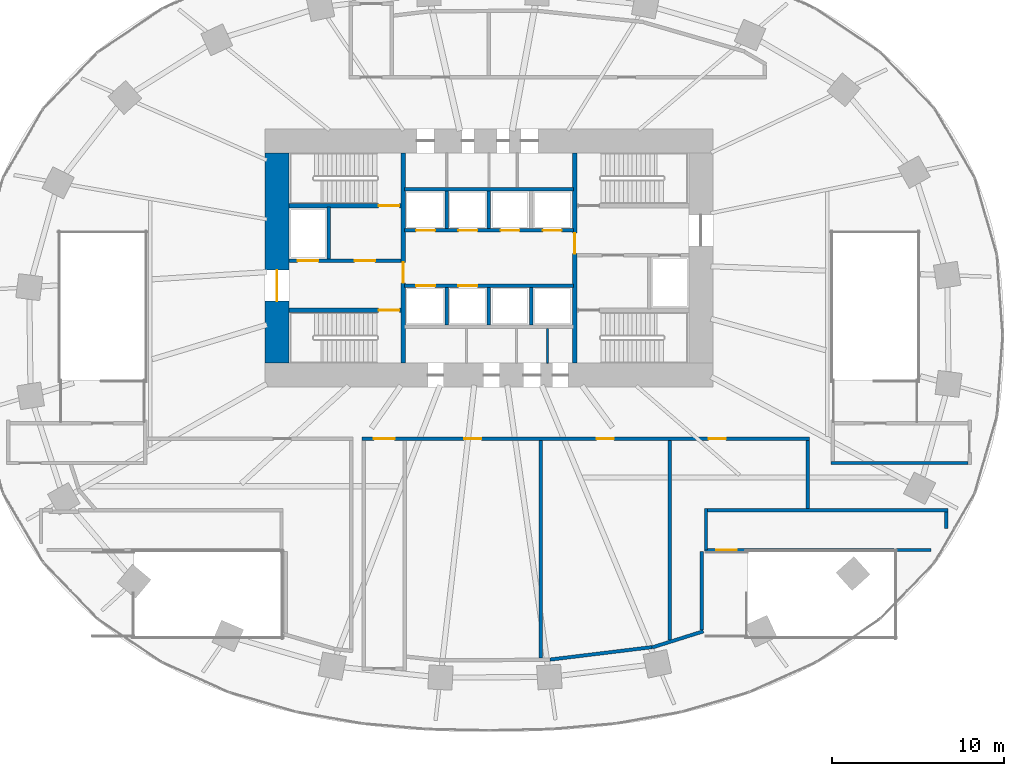
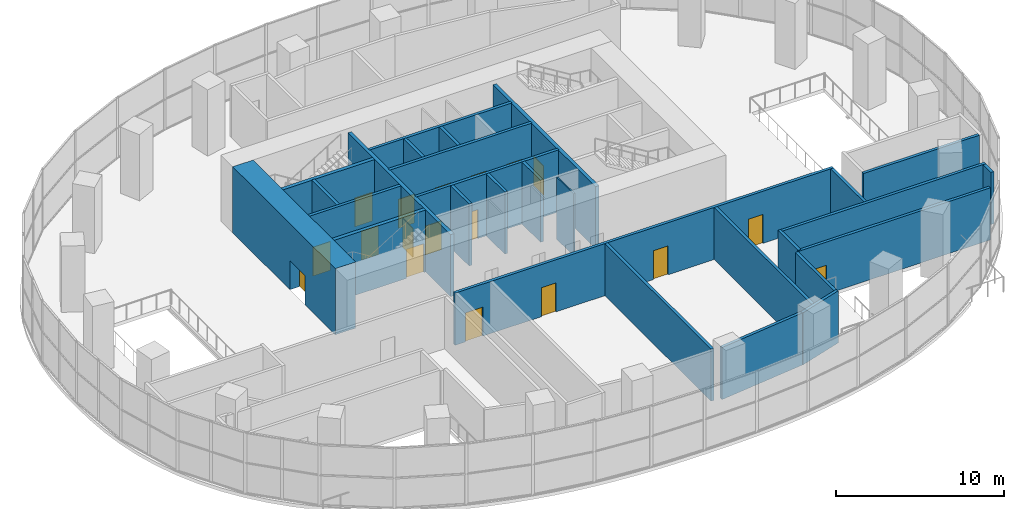
# One storey, part 12 of 17: 28 walls, 18 doors, 18 openings.
"""IFC4 building model written with IfcOpenShell, lengths in metres."""

from ifc_helpers import new_model, si_unit, direction, frame, frame_2d, origin, place, context, subcontext, project, spatial, rectangle, extrude, material, layer, layer_set, type_object, element, fill, save


model = new_model("IFC4")

# Units and contexts
model_context = context("Model", 3, precision=1e-05, world=origin(), true_north=direction((0.0, 1.0)))
body_context = subcontext(model_context, "Body", "Model", "MODEL_VIEW")
ifc_project = project(units=[si_unit("LENGTHUNIT", "METRE"), si_unit("AREAUNIT", "SQUARE_METRE"), si_unit("VOLUMEUNIT", "CUBIC_METRE"), si_unit("PLANEANGLEUNIT", "RADIAN"), si_unit("MASSUNIT", "GRAM", prefix="KILO")], contexts=[model_context])

# Site, building, storey
site_placement = place(None, origin())
site = spatial("IfcSite", under=ifc_project, at=site_placement, CompositionType="ELEMENT")
building_placement = place(site_placement, origin())
building = spatial("IfcBuilding", under=site, at=building_placement, Name="Rubra Terraces Tower", CompositionType="ELEMENT")
storey_placement = place(building_placement, frame((0.0, 0.0, 28.199951171875)))
storey = spatial("IfcBuildingStorey", under=building, at=storey_placement, Name="L04", CompositionType="ELEMENT", Elevation=28.199951171875)

# Wall, opening, door
ifc_material_1 = material(Name="Concrete C70", Category="concrete")
ifc_layer_1 = layer(ifc_material_1, 1.39990234375)
ifc_layer_set_1 = layer_set([ifc_layer_1], Name="Concrete C70")
wall_type_1 = type_object("IfcWallType", Name="CORE WALL 1400 C70", PredefinedType="SHEAR", material=ifc_layer_set_1)
wall_1_placement = place(storey_placement, frame((-12.300048828125, -1.60009765625, 0.0), z_axis=(0.0, 0.0, 1.0), x_axis=(0.0, 1.0, 0.0)))
wall_1 = element("IfcWall", 1, at=wall_1_placement, inside=storey, type_object=wall_type_1, Name="CORE WALL W L04", PredefinedType="SHEAR", context=body_context, shape_type="SweptSolid", body=[
    extrude(rectangle(XDim=12.2001953125, YDim=1.39990234375, at=frame_2d((6.10009765625, 0.0))), origin(), (0.0, 0.0, 1.0), 4.800048828125),
])
opening_1_placement = place(wall_1_placement, frame((3.60009765625, 0.0, 0.0)))
opening_1 = element("IfcOpeningElement", 2, at=opening_1_placement, cuts=wall_1, Name="Opening L04.C01", PredefinedType="OPENING", context=body_context, shape_type="SweptSolid", body=[
    extrude(rectangle(XDim=1.800048828125, YDim=2.10009765625, at=frame_2d((0.89990234375, 1.050048828125))), frame((0.0, 0.7099609375, 0.0), z_axis=(0.0, -1.0, 0.0), x_axis=(1.0, 0.0, 0.0)), (0.0, 0.0, 1.0), 1.419921875),
])
ifc_material_2 = material(Name="Painted steel", Category="steel")
door_type_1 = type_object("IfcDoorType", Name="Fire door 1800x2100 double", OperationType="NOTDEFINED", PredefinedType="DOOR", material=ifc_material_2)
door_1_placement = place(opening_1_placement, origin())
door_1 = element("IfcDoor", 3, at=door_1_placement, inside=storey, type_object=door_type_1, Name="Core entrance door FF1", OperationType="DOUBLE_DOOR_SINGLE_SWING", OverallHeight=2.10009765625, OverallWidth=1.800048828125, PredefinedType="DOOR", context=body_context, shape_type="SweptSolid", body=[
    extrude(rectangle(XDim=1.800048828125, YDim=2.10009765625, at=frame_2d((0.89990234375, 1.050048828125))), frame((0.0, 0.02490234375, 0.0), z_axis=(0.0, -1.0, 0.0), x_axis=(1.0, 0.0, 0.0)), (0.0, 0.0, 1.0), 0.050048828125),
])
fill(opening_1, door_1)

# Wall, openings, doors
ifc_material_3 = material(Name="Concrete C30", Category="concrete")
ifc_layer_2 = layer(ifc_material_3, 0.199951171875)
ifc_layer_set_2 = layer_set([ifc_layer_2], Name="Concrete C30")
wall_type_2 = type_object("IfcWallType", Name="Core wall 200 concrete", PredefinedType="SOLIDWALL", material=ifc_layer_set_2)
wall_2_placement = place(storey_placement, frame((-11.60009765625, 4.35009765625, 0.0), z_axis=(0.0, 0.0, 1.0), x_axis=(1.0, 0.0, 0.0)))
wall_2 = element("IfcWall", 4, at=wall_2_placement, inside=storey, type_object=wall_type_2, Name="STAIR WALL L04", PredefinedType="SOLIDWALL", context=body_context, shape_type="SweptSolid", body=[
    extrude(rectangle(XDim=6.5, YDim=0.199951171875, at=frame_2d((3.25, 0.0))), origin(), (0.0, 0.0, 1.0), 4.5),
])
opening_2_placement = place(wall_2_placement, frame((3.800048828125, 0.0, 0.0)))
opening_2 = element("IfcOpeningElement", 5, at=opening_2_placement, cuts=wall_2, Name="Opening L04.C05", PredefinedType="OPENING", context=body_context, shape_type="SweptSolid", body=[
    extrude(rectangle(XDim=1.199951171875, YDim=2.10009765625, at=frame_2d((0.60009765625, 1.050048828125))), frame((0.0, 0.10986328125, 0.0), z_axis=(0.0, -1.0, 0.0), x_axis=(1.0, 0.0, 0.0)), (0.0, 0.0, 1.0), 0.219970703125),
])
opening_3_placement = place(wall_2_placement, frame((0.5, 0.0, 0.0)))
opening_3 = element("IfcOpeningElement", 6, at=opening_3_placement, cuts=wall_2, Name="Opening L04.C11", PredefinedType="OPENING", context=body_context, shape_type="SweptSolid", body=[
    extrude(rectangle(XDim=1.199951171875, YDim=2.10009765625, at=frame_2d((0.60009765625, 1.050048828125))), frame((0.0, 0.10986328125, 0.0), z_axis=(0.0, -1.0, 0.0), x_axis=(1.0, 0.0, 0.0)), (0.0, 0.0, 1.0), 0.219970703125),
])
door_type_2 = type_object("IfcDoorType", Name="Fire door 1200x2100 single", OperationType="NOTDEFINED", PredefinedType="DOOR", material=ifc_material_2)
door_2_placement = place(opening_2_placement, origin())
door_2 = element("IfcDoor", 7, at=door_2_placement, inside=storey, type_object=door_type_2, Name="Stair vestibule door S2", OperationType="SINGLE_SWING_LEFT", OverallHeight=2.10009765625, OverallWidth=1.199951171875, PredefinedType="DOOR", context=body_context, shape_type="SweptSolid", body=[
    extrude(rectangle(XDim=1.199951171875, YDim=2.10009765625, at=frame_2d((0.60009765625, 1.050048828125))), frame((0.0, 0.02490234375, 0.0), z_axis=(0.0, -1.0, 0.0), x_axis=(1.0, 0.0, 0.0)), (0.0, 0.0, 1.0), 0.050048828125),
])
fill(opening_2, door_2)
ifc_material_4 = material(Name="Stainless steel", Category="steel")
door_type_3 = type_object("IfcDoorType", Name="Lift landing door 1200x2100", OperationType="NOTDEFINED", PredefinedType="DOOR", material=ifc_material_4)
door_3_placement = place(opening_3_placement, origin())
door_3 = element("IfcDoor", 8, at=door_3_placement, inside=storey, type_object=door_type_3, Name="Landing door FF1", OperationType="SLIDING_TO_RIGHT", OverallHeight=2.10009765625, OverallWidth=1.199951171875, PredefinedType="DOOR", context=body_context, shape_type="SweptSolid", body=[
    extrude(rectangle(XDim=1.199951171875, YDim=2.10009765625, at=frame_2d((0.60009765625, 1.050048828125))), frame((0.0, 0.02490234375, 0.0), z_axis=(0.0, -1.0, 0.0), x_axis=(1.0, 0.0, 0.0)), (0.0, 0.0, 1.0), 0.050048828125),
])
fill(opening_3, door_3)

# Wall
wall_3_placement = place(storey_placement, frame((-9.300048828125, 4.449951171875, 0.0), z_axis=(0.0, 0.0, 1.0), x_axis=(0.0, 1.0, 0.0)))
element("IfcWall", 9, at=wall_3_placement, inside=storey, type_object=wall_type_2, Name="STAIR WALL L04", PredefinedType="SOLIDWALL", context=body_context, shape_type="SweptSolid", body=[
    extrude(rectangle(XDim=3.0, YDim=0.199951171875, at=frame_2d((1.5, 0.0))), origin(), (0.0, 0.0, 1.0), 4.5),
])

# Wall, openings, doors
wall_4_placement = place(storey_placement, frame((-4.89990234375, 2.89990234375, 0.0), z_axis=(0.0, 0.0, 1.0), x_axis=(1.0, 0.0, 0.0)))
wall_4 = element("IfcWall", 10, at=wall_4_placement, inside=storey, type_object=wall_type_2, Name="LIFT SHAFT WALL L04", PredefinedType="SOLIDWALL", context=body_context, shape_type="SweptSolid", body=[
    extrude(rectangle(XDim=9.7998046875, YDim=0.199951171875, at=frame_2d((4.89990234375, 0.0))), origin(), (0.0, 0.0, 1.0), 4.5),
])
opening_4_placement = place(wall_4_placement, frame((0.675048828125, 0.0, 0.0)))
opening_4 = element("IfcOpeningElement", 11, at=opening_4_placement, cuts=wall_4, Name="Opening L04.C13", PredefinedType="OPENING", context=body_context, shape_type="SweptSolid", body=[
    extrude(rectangle(XDim=1.10009765625, YDim=2.10009765625, at=frame_2d((0.550048828125, 1.050048828125))), frame((0.0, 0.10986328125, 0.0), z_axis=(0.0, -1.0, 0.0), x_axis=(1.0, 0.0, 0.0)), (0.0, 0.0, 1.0), 0.219970703125),
])
opening_5_placement = place(wall_4_placement, frame((3.125, 0.0, 0.0)))
opening_5 = element("IfcOpeningElement", 12, at=opening_5_placement, cuts=wall_4, Name="Opening L04.C14", PredefinedType="OPENING", context=body_context, shape_type="SweptSolid", body=[
    extrude(rectangle(XDim=1.10009765625, YDim=2.10009765625, at=frame_2d((0.550048828125, 1.050048828125))), frame((0.0, 0.10986328125, 0.0), z_axis=(0.0, -1.0, 0.0), x_axis=(1.0, 0.0, 0.0)), (0.0, 0.0, 1.0), 0.219970703125),
])
door_type_4 = type_object("IfcDoorType", Name="Lift landing door 1100x2100", OperationType="NOTDEFINED", PredefinedType="DOOR", material=ifc_material_4)
door_4_placement = place(opening_4_placement, origin())
door_4 = element("IfcDoor", 13, at=door_4_placement, inside=storey, type_object=door_type_4, Name="Landing door LB1", OperationType="SLIDING_TO_RIGHT", OverallHeight=2.10009765625, OverallWidth=1.10009765625, PredefinedType="DOOR", context=body_context, shape_type="SweptSolid", body=[
    extrude(rectangle(XDim=1.10009765625, YDim=2.10009765625, at=frame_2d((0.550048828125, 1.050048828125))), frame((0.0, 0.02490234375, 0.0), z_axis=(0.0, -1.0, 0.0), x_axis=(1.0, 0.0, 0.0)), (0.0, 0.0, 1.0), 0.050048828125),
])
fill(opening_4, door_4)
door_5_placement = place(opening_5_placement, origin())
door_5 = element("IfcDoor", 14, at=door_5_placement, inside=storey, type_object=door_type_4, Name="Landing door LB2", OperationType="SLIDING_TO_LEFT", OverallHeight=2.10009765625, OverallWidth=1.10009765625, PredefinedType="DOOR", context=body_context, shape_type="SweptSolid", body=[
    extrude(rectangle(XDim=1.10009765625, YDim=2.10009765625, at=frame_2d((0.550048828125, 1.050048828125))), frame((0.0, 0.02490234375, 0.0), z_axis=(0.0, -1.0, 0.0), x_axis=(1.0, 0.0, 0.0)), (0.0, 0.0, 1.0), 0.050048828125),
])
fill(opening_5, door_5)

wall_5_placement = place(storey_placement, frame((-4.89990234375, 6.10009765625, 0.0), z_axis=(0.0, 0.0, 1.0), x_axis=(1.0, 0.0, 0.0)))
wall_5 = element("IfcWall", 15, at=wall_5_placement, inside=storey, type_object=wall_type_2, Name="LIFT SHAFT WALL L04", PredefinedType="SOLIDWALL", context=body_context, shape_type="SweptSolid", body=[
    extrude(rectangle(XDim=9.7998046875, YDim=0.199951171875, at=frame_2d((4.89990234375, 0.0))), origin(), (0.0, 0.0, 1.0), 4.5),
])
opening_6_placement = place(wall_5_placement, frame((0.675048828125, 0.0, 0.0)))
opening_6 = element("IfcOpeningElement", 16, at=opening_6_placement, cuts=wall_5, Name="Opening L04.C15", PredefinedType="OPENING", context=body_context, shape_type="SweptSolid", body=[
    extrude(rectangle(XDim=1.10009765625, YDim=2.10009765625, at=frame_2d((0.550048828125, 1.050048828125))), frame((0.0, 0.10986328125, 0.0), z_axis=(0.0, -1.0, 0.0), x_axis=(1.0, 0.0, 0.0)), (0.0, 0.0, 1.0), 0.219970703125),
])
opening_7_placement = place(wall_5_placement, frame((3.125, 0.0, 0.0)))
opening_7 = element("IfcOpeningElement", 17, at=opening_7_placement, cuts=wall_5, Name="Opening L04.C16", PredefinedType="OPENING", context=body_context, shape_type="SweptSolid", body=[
    extrude(rectangle(XDim=1.10009765625, YDim=2.10009765625, at=frame_2d((0.550048828125, 1.050048828125))), frame((0.0, 0.10986328125, 0.0), z_axis=(0.0, -1.0, 0.0), x_axis=(1.0, 0.0, 0.0)), (0.0, 0.0, 1.0), 0.219970703125),
])
opening_8_placement = place(wall_5_placement, frame((5.574951171875, 0.0, 0.0)))
opening_8 = element("IfcOpeningElement", 18, at=opening_8_placement, cuts=wall_5, Name="Opening L04.C17", PredefinedType="OPENING", context=body_context, shape_type="SweptSolid", body=[
    extrude(rectangle(XDim=1.10009765625, YDim=2.10009765625, at=frame_2d((0.550048828125, 1.050048828125))), frame((0.0, 0.10986328125, 0.0), z_axis=(0.0, -1.0, 0.0), x_axis=(1.0, 0.0, 0.0)), (0.0, 0.0, 1.0), 0.219970703125),
])
opening_9_placement = place(wall_5_placement, frame((8.02490234375, 0.0, 0.0)))
opening_9 = element("IfcOpeningElement", 19, at=opening_9_placement, cuts=wall_5, Name="Opening L04.C18", PredefinedType="OPENING", context=body_context, shape_type="SweptSolid", body=[
    extrude(rectangle(XDim=1.10009765625, YDim=2.10009765625, at=frame_2d((0.550048828125, 1.050048828125))), frame((0.0, 0.10986328125, 0.0), z_axis=(0.0, -1.0, 0.0), x_axis=(1.0, 0.0, 0.0)), (0.0, 0.0, 1.0), 0.219970703125),
])
door_6_placement = place(opening_6_placement, origin())
door_6 = element("IfcDoor", 20, at=door_6_placement, inside=storey, type_object=door_type_4, Name="Landing door LB3", OperationType="SLIDING_TO_RIGHT", OverallHeight=2.10009765625, OverallWidth=1.10009765625, PredefinedType="DOOR", context=body_context, shape_type="SweptSolid", body=[
    extrude(rectangle(XDim=1.10009765625, YDim=2.10009765625, at=frame_2d((0.550048828125, 1.050048828125))), frame((0.0, 0.02490234375, 0.0), z_axis=(0.0, -1.0, 0.0), x_axis=(1.0, 0.0, 0.0)), (0.0, 0.0, 1.0), 0.050048828125),
])
fill(opening_6, door_6)
door_7_placement = place(opening_7_placement, origin())
door_7 = element("IfcDoor", 21, at=door_7_placement, inside=storey, type_object=door_type_4, Name="Landing door LB4", OperationType="SLIDING_TO_LEFT", OverallHeight=2.10009765625, OverallWidth=1.10009765625, PredefinedType="DOOR", context=body_context, shape_type="SweptSolid", body=[
    extrude(rectangle(XDim=1.10009765625, YDim=2.10009765625, at=frame_2d((0.550048828125, 1.050048828125))), frame((0.0, 0.02490234375, 0.0), z_axis=(0.0, -1.0, 0.0), x_axis=(1.0, 0.0, 0.0)), (0.0, 0.0, 1.0), 0.050048828125),
])
fill(opening_7, door_7)
door_8_placement = place(opening_8_placement, origin())
door_8 = element("IfcDoor", 22, at=door_8_placement, inside=storey, type_object=door_type_4, Name="Landing door LB5", OperationType="SLIDING_TO_RIGHT", OverallHeight=2.10009765625, OverallWidth=1.10009765625, PredefinedType="DOOR", context=body_context, shape_type="SweptSolid", body=[
    extrude(rectangle(XDim=1.10009765625, YDim=2.10009765625, at=frame_2d((0.550048828125, 1.050048828125))), frame((0.0, 0.02490234375, 0.0), z_axis=(0.0, -1.0, 0.0), x_axis=(1.0, 0.0, 0.0)), (0.0, 0.0, 1.0), 0.050048828125),
])
fill(opening_8, door_8)
door_9_placement = place(opening_9_placement, origin())
door_9 = element("IfcDoor", 23, at=door_9_placement, inside=storey, type_object=door_type_4, Name="Landing door LB6", OperationType="SLIDING_TO_LEFT", OverallHeight=2.10009765625, OverallWidth=1.10009765625, PredefinedType="DOOR", context=body_context, shape_type="SweptSolid", body=[
    extrude(rectangle(XDim=1.10009765625, YDim=2.10009765625, at=frame_2d((0.550048828125, 1.050048828125))), frame((0.0, 0.02490234375, 0.0), z_axis=(0.0, -1.0, 0.0), x_axis=(1.0, 0.0, 0.0)), (0.0, 0.0, 1.0), 0.050048828125),
])
fill(opening_9, door_9)

# Walls
wall_6_placement = place(storey_placement, frame((-4.89990234375, 8.5, 0.0), z_axis=(0.0, 0.0, 1.0), x_axis=(1.0, 0.0, 0.0)))
element("IfcWall", 24, at=wall_6_placement, inside=storey, type_object=wall_type_2, Name="LIFT SHAFT WALL L04", PredefinedType="SOLIDWALL", context=body_context, shape_type="SweptSolid", body=[
    extrude(rectangle(XDim=9.7998046875, YDim=0.199951171875, at=frame_2d((4.89990234375, 0.0))), origin(), (0.0, 0.0, 1.0), 4.5),
])
for number, where, z_axis, x_axis, name in (
    (25, (-2.449951171875, 0.60009765625, 0.0), (0.0, 0.0, 1.0), (0.0, 1.0, 0.0), "LIFT SHAFT WALL L04"),
    (26, (0.0, 0.60009765625, 0.0), (0.0, 0.0, 1.0), (0.0, 1.0, 0.0), "LIFT SHAFT WALL L04"),
    (27, (2.449951171875, 0.60009765625, 0.0), (0.0, 0.0, 1.0), (0.0, 1.0, 0.0), "LIFT SHAFT WALL L04"),
    (28, (-2.449951171875, 6.199951171875, 0.0), (0.0, 0.0, 1.0), (0.0, 1.0, 0.0), "LIFT SHAFT WALL L04"),
    (29, (0.0, 6.199951171875, 0.0), (0.0, 0.0, 1.0), (0.0, 1.0, 0.0), "LIFT SHAFT WALL L04"),
):
    element("IfcWall", number, at=place(storey_placement, frame(where, z_axis=z_axis, x_axis=x_axis)), inside=storey, type_object=wall_type_2, Name=name, PredefinedType="SOLIDWALL", context=body_context, shape_type="SweptSolid", body=[
        extrude(rectangle(XDim=2.199951171875, YDim=0.199951171875, at=frame_2d((1.10009765625, 0.0))), origin(), (0.0, 0.0, 1.0), 4.5),
    ])
ifc_material_5 = material(Name="Blockwork", Category="masonry")
ifc_layer_3 = layer(ifc_material_5, 0.199951171875)
ifc_layer_set_3 = layer_set([ifc_layer_3], Name="Blockwork")
wall_type_3 = type_object("IfcWallType", Name="Corridor partition 200 blockwork", PredefinedType="PARTITIONING", material=ifc_layer_set_3)
wall_7_placement = place(storey_placement, frame((27.800048828125, -7.39990234375, 0.0), z_axis=(0.0, 0.0, 1.0), x_axis=(-1.0, 0.0, 0.0)))
element("IfcWall", 30, at=wall_7_placement, inside=storey, type_object=wall_type_3, Name="Partition wall", PredefinedType="PARTITIONING", context=body_context, shape_type="SweptSolid", body=[
    extrude(rectangle(XDim=7.949951171875, YDim=0.199951171875, at=frame_2d((3.97509765625, 0.0))), origin(), (0.0, 0.0, 1.0), 3.780029296875),
])

# Wall, opening, door
wall_8_placement = place(storey_placement, frame((25.659912109375, -12.449951171875, 0.0), z_axis=(0.0, 0.0, 1.0), x_axis=(-1.0, 0.0, 0.0)))
wall_8 = element("IfcWall", 31, at=wall_8_placement, inside=storey, type_object=wall_type_3, Name="Partition wall", PredefinedType="PARTITIONING", context=body_context, shape_type="SweptSolid", body=[
    extrude(rectangle(XDim=13.159912109375, YDim=0.199951171875, at=frame_2d((6.580078125, 0.0))), origin(), (0.0, 0.0, 1.0), 3.780029296875),
])
opening_10_placement = place(wall_8_placement, frame((11.260009765625, 0.0, 0.0)))
opening_10 = element("IfcOpeningElement", 32, at=opening_10_placement, cuts=wall_8, Name="Opening DB7", PredefinedType="OPENING", context=body_context, shape_type="SweptSolid", body=[
    extrude(rectangle(XDim=1.199951171875, YDim=2.10009765625, at=frame_2d((0.60009765625, 1.050048828125))), frame((0.0, 0.10986328125, 0.0), z_axis=(0.0, -1.0, 0.0), x_axis=(1.0, 0.0, 0.0)), (0.0, 0.0, 1.0), 0.219970703125),
])
ifc_material_6 = material(Name="Painted timber", Category="wood")
door_type_5 = type_object("IfcDoorType", Name="Door 1200x2100 single", OperationType="NOTDEFINED", PredefinedType="DOOR", material=ifc_material_6)
door_10_placement = place(opening_10_placement, origin())
door_10 = element("IfcDoor", 33, at=door_10_placement, inside=storey, type_object=door_type_5, Name="Stair door L04-10", OperationType="SINGLE_SWING_LEFT", OverallHeight=2.10009765625, OverallWidth=1.199951171875, PredefinedType="DOOR", context=body_context, shape_type="SweptSolid", body=[
    extrude(rectangle(XDim=1.199951171875, YDim=2.10009765625, at=frame_2d((0.60009765625, 1.050048828125))), frame((0.0, 0.02490234375, 0.0), z_axis=(0.0, -1.0, 0.0), x_axis=(1.0, 0.0, 0.0)), (0.0, 0.0, 1.0), 0.050048828125),
])
fill(opening_10, door_10)

# Walls
wall_9_placement = place(storey_placement, frame((12.60009765625, -12.449951171875, 0.0), z_axis=(0.0, 0.0, 1.0), x_axis=(0.0, 1.0, 0.0)))
element("IfcWall", 34, at=wall_9_placement, inside=storey, type_object=wall_type_3, Name="Partition wall", PredefinedType="PARTITIONING", context=body_context, shape_type="SweptSolid", body=[
    extrude(rectangle(XDim=2.39990234375, YDim=0.199951171875, at=frame_2d((1.199951171875, 0.0))), origin(), (0.0, 0.0, 1.0), 3.780029296875),
])
wall_10_placement = place(storey_placement, frame((12.699951171875, -10.14990234375, 0.0), z_axis=(0.0, 0.0, 1.0), x_axis=(1.0, 0.0, 0.0)))
element("IfcWall", 35, at=wall_10_placement, inside=storey, type_object=wall_type_3, Name="Partition wall", PredefinedType="PARTITIONING", context=body_context, shape_type="SweptSolid", body=[
    extrude(rectangle(XDim=13.9599609375, YDim=0.199951171875, at=frame_2d((6.97998046875, 0.0))), origin(), (0.0, 0.0, 1.0), 3.780029296875),
])
wall_11_placement = place(storey_placement, frame((26.56005859375, -10.25, 0.0), z_axis=(0.0, 0.0, 1.0), x_axis=(0.0, -1.0, 0.0)))
element("IfcWall", 36, at=wall_11_placement, inside=storey, type_object=wall_type_3, Name="Partition wall", PredefinedType="PARTITIONING", context=body_context, shape_type="SweptSolid", body=[
    extrude(rectangle(XDim=0.93896484375, YDim=0.199951171875, at=frame_2d((0.469482421875, 0.0))), origin(), (0.0, 0.0, 1.0), 3.780029296875),
])

# Wall, openings, doors
wall_12_placement = place(storey_placement, frame((-7.3779296875, -6.0, 0.0), z_axis=(0.0, 0.0, 1.0), x_axis=(1.0, 0.0, 0.0)))
wall_12 = element("IfcWall", 37, at=wall_12_placement, inside=storey, type_object=wall_type_3, Name="Partition wall", PredefinedType="PARTITIONING", context=body_context, shape_type="SweptSolid", body=[
    extrude(rectangle(XDim=25.97802734375, YDim=0.199951171875, at=frame_2d((12.989013671875, 0.0))), origin(), (0.0, 0.0, 1.0), 3.780029296875),
])
opening_11_placement = place(wall_12_placement, frame((0.699951171875, 0.0, 0.0)))
opening_11 = element("IfcOpeningElement", 38, at=opening_11_placement, cuts=wall_12, Name="Opening DB7", PredefinedType="OPENING", context=body_context, shape_type="SweptSolid", body=[
    extrude(rectangle(XDim=1.199951171875, YDim=2.10009765625, at=frame_2d((0.60009765625, 1.050048828125))), frame((0.0, 0.10986328125, 0.0), z_axis=(0.0, -1.0, 0.0), x_axis=(1.0, 0.0, 0.0)), (0.0, 0.0, 1.0), 0.219970703125),
])
opening_12_placement = place(wall_12_placement, frame((5.93896484375, 0.0, 0.0)))
opening_12 = element("IfcOpeningElement", 39, at=opening_12_placement, cuts=wall_12, Name="Opening DB1", PredefinedType="OPENING", context=body_context, shape_type="SweptSolid", body=[
    extrude(rectangle(XDim=1.0, YDim=2.10009765625, at=frame_2d((0.5, 1.050048828125))), frame((0.0, 0.10986328125, 0.0), z_axis=(0.0, -1.0, 0.0), x_axis=(1.0, 0.0, 0.0)), (0.0, 0.0, 1.0), 0.219970703125),
])
opening_13_placement = place(wall_12_placement, frame((13.6279296875, 0.0, 0.0)))
opening_13 = element("IfcOpeningElement", 40, at=opening_13_placement, cuts=wall_12, Name="Opening DB1", PredefinedType="OPENING", context=body_context, shape_type="SweptSolid", body=[
    extrude(rectangle(XDim=1.0, YDim=2.10009765625, at=frame_2d((0.5, 1.050048828125))), frame((0.0, 0.10986328125, 0.0), z_axis=(0.0, -1.0, 0.0), x_axis=(1.0, 0.0, 0.0)), (0.0, 0.0, 1.0), 0.219970703125),
])
opening_14_placement = place(wall_12_placement, frame((20.1279296875, 0.0, 0.0)))
opening_14 = element("IfcOpeningElement", 41, at=opening_14_placement, cuts=wall_12, Name="Opening DB1", PredefinedType="OPENING", context=body_context, shape_type="SweptSolid", body=[
    extrude(rectangle(XDim=1.0, YDim=2.10009765625, at=frame_2d((0.5, 1.050048828125))), frame((0.0, 0.10986328125, 0.0), z_axis=(0.0, -1.0, 0.0), x_axis=(1.0, 0.0, 0.0)), (0.0, 0.0, 1.0), 0.219970703125),
])
door_type_6 = type_object("IfcDoorType", Name="Door 1000x2100 single", OperationType="NOTDEFINED", PredefinedType="DOOR", material=ifc_material_6)
door_11_placement = place(opening_12_placement, origin())
door_11 = element("IfcDoor", 42, at=door_11_placement, inside=storey, type_object=door_type_6, Name="Door L04-12", OperationType="SINGLE_SWING_LEFT", OverallHeight=2.10009765625, OverallWidth=1.0, PredefinedType="DOOR", context=body_context, shape_type="SweptSolid", body=[
    extrude(rectangle(XDim=1.0, YDim=2.10009765625, at=frame_2d((0.5, 1.050048828125))), frame((0.0, 0.02490234375, 0.0), z_axis=(0.0, -1.0, 0.0), x_axis=(1.0, 0.0, 0.0)), (0.0, 0.0, 1.0), 0.050048828125),
])
fill(opening_12, door_11)
door_12_placement = place(opening_13_placement, origin())
door_12 = element("IfcDoor", 43, at=door_12_placement, inside=storey, type_object=door_type_6, Name="Door L04-13", OperationType="SINGLE_SWING_LEFT", OverallHeight=2.10009765625, OverallWidth=1.0, PredefinedType="DOOR", context=body_context, shape_type="SweptSolid", body=[
    extrude(rectangle(XDim=1.0, YDim=2.10009765625, at=frame_2d((0.5, 1.050048828125))), frame((0.0, 0.02490234375, 0.0), z_axis=(0.0, -1.0, 0.0), x_axis=(1.0, 0.0, 0.0)), (0.0, 0.0, 1.0), 0.050048828125),
])
fill(opening_13, door_12)
door_13_placement = place(opening_14_placement, origin())
door_13 = element("IfcDoor", 44, at=door_13_placement, inside=storey, type_object=door_type_6, Name="Door L04-14", OperationType="SINGLE_SWING_LEFT", OverallHeight=2.10009765625, OverallWidth=1.0, PredefinedType="DOOR", context=body_context, shape_type="SweptSolid", body=[
    extrude(rectangle(XDim=1.0, YDim=2.10009765625, at=frame_2d((0.5, 1.050048828125))), frame((0.0, 0.02490234375, 0.0), z_axis=(0.0, -1.0, 0.0), x_axis=(1.0, 0.0, 0.0)), (0.0, 0.0, 1.0), 0.050048828125),
])
fill(opening_14, door_13)
door_14_placement = place(opening_11_placement, origin())
door_14 = element("IfcDoor", 45, at=door_14_placement, inside=storey, type_object=door_type_5, Name="Door L04-03", OperationType="SINGLE_SWING_LEFT", OverallHeight=2.10009765625, OverallWidth=1.199951171875, PredefinedType="DOOR", context=body_context, shape_type="SweptSolid", body=[
    extrude(rectangle(XDim=1.199951171875, YDim=2.10009765625, at=frame_2d((0.60009765625, 1.050048828125))), frame((0.0, 0.02490234375, 0.0), z_axis=(0.0, -1.0, 0.0), x_axis=(1.0, 0.0, 0.0)), (0.0, 0.0, 1.0), 0.050048828125),
])
fill(opening_11, door_14)

# Walls
wall_13_placement = place(storey_placement, frame((12.445068359375, -17.1708984375, 0.0), z_axis=(0.0, 0.0, 1.0), x_axis=(-0.953816830096, -0.300388839049, 0.0)))
element("IfcWall", 46, at=wall_13_placement, inside=storey, type_object=wall_type_3, Name="Partition wall", PredefinedType="PARTITIONING", context=body_context, shape_type="SweptSolid", body=[
    extrude(rectangle(XDim=3.115966796875, YDim=0.199951171875, at=frame_2d((1.55810546875, 0.0))), origin(), (0.0, 0.0, 1.0), 3.780029296875),
])
wall_14_placement = place(storey_placement, frame((9.468994140625, -18.089111328125, 0.0), z_axis=(0.0, 0.0, 1.0), x_axis=(-0.992636762719, -0.121129093526, 0.0)))
element("IfcWall", 47, at=wall_14_placement, inside=storey, type_object=wall_type_3, Name="Partition wall", PredefinedType="PARTITIONING", context=body_context, shape_type="SweptSolid", body=[
    extrude(rectangle(XDim=5.968017578125, YDim=0.199951171875, at=frame_2d((2.98388671875, 0.0))), origin(), (0.0, 0.0, 1.0), 3.780029296875),
])
ifc_layer_4 = layer(ifc_material_5, 0.199951171875)
ifc_layer_set_4 = layer_set([ifc_layer_4], Name="Blockwork")
wall_type_4 = type_object("IfcWallType", Name="Room partition 200 blockwork", PredefinedType="PARTITIONING", material=ifc_layer_set_4)
wall_15_placement = place(storey_placement, frame((3.0, -6.10009765625, 0.0), z_axis=(0.0, 0.0, 1.0), x_axis=(0.0, -1.0, 0.0)))
element("IfcWall", 48, at=wall_15_placement, inside=storey, type_object=wall_type_4, Name="Partition wall", PredefinedType="PARTITIONING", context=body_context, shape_type="SweptSolid", body=[
    extrude(rectangle(XDim=12.6259765625, YDim=0.199951171875, at=frame_2d((6.31298828125, 0.0))), origin(), (0.0, 0.0, 1.0), 3.780029296875),
])
wall_16_placement = place(storey_placement, frame((10.5, -6.10009765625, 0.0), z_axis=(0.0, 0.0, 1.0), x_axis=(0.0, -1.0, 0.0)))
element("IfcWall", 49, at=wall_16_placement, inside=storey, type_object=wall_type_4, Name="Partition wall", PredefinedType="PARTITIONING", context=body_context, shape_type="SweptSolid", body=[
    extrude(rectangle(XDim=11.5830078125, YDim=0.199951171875, at=frame_2d((5.79150390625, 0.0))), origin(), (0.0, 0.0, 1.0), 3.780029296875),
])
wall_17_placement = place(storey_placement, frame((18.5, -6.10009765625, 0.0), z_axis=(0.0, 0.0, 1.0), x_axis=(0.0, -1.0, 0.0)))
element("IfcWall", 50, at=wall_17_placement, inside=storey, type_object=wall_type_4, Name="Partition wall", PredefinedType="PARTITIONING", context=body_context, shape_type="SweptSolid", body=[
    extrude(rectangle(XDim=3.949951171875, YDim=0.199951171875, at=frame_2d((1.97509765625, 0.0))), origin(), (0.0, 0.0, 1.0), 3.780029296875),
])
wall_18_placement = place(storey_placement, frame((12.35009765625, -12.550048828125, 0.0), z_axis=(0.0, 0.0, 1.0), x_axis=(0.0, -1.0, 0.0)))
element("IfcWall", 51, at=wall_18_placement, inside=storey, type_object=wall_type_4, Name="Partition wall", PredefinedType="PARTITIONING", context=body_context, shape_type="SweptSolid", body=[
    extrude(rectangle(XDim=4.551025390625, YDim=0.199951171875, at=frame_2d((2.275390625, 0.0))), origin(), (0.0, 0.0, 1.0), 3.780029296875),
])
ifc_layer_5 = layer(ifc_material_5, 0.10009765625)
ifc_layer_set_5 = layer_set([ifc_layer_5], Name="Blockwork")
wall_type_5 = type_object("IfcWallType", Name="Service partition 100 blockwork", PredefinedType="PARTITIONING", material=ifc_layer_set_5)
wall_19_placement = place(storey_placement, frame((3.39990234375, -1.60009765625, 0.0), z_axis=(0.0, 0.0, 1.0), x_axis=(0.0, 1.0, 0.0)))
element("IfcWall", 52, at=wall_19_placement, inside=storey, type_object=wall_type_5, Name="SERVICE ROOM PARTITION L04", PredefinedType="PARTITIONING", context=body_context, shape_type="SweptSolid", body=[
    extrude(rectangle(XDim=2.0, YDim=0.10009765625, at=frame_2d((1.0, 0.0))), origin(), (0.0, 0.0, 1.0), 4.5),
])

# Wall, opening, door
ifc_material_7 = material(Name="Concrete C40", Category="concrete")
ifc_layer_6 = layer(ifc_material_7, 0.25)
ifc_layer_set_6 = layer_set([ifc_layer_6], Name="Concrete C40")
wall_type_6 = type_object("IfcWallType", Name="Stair enclosure wall 250 concrete", PredefinedType="SOLIDWALL", material=ifc_layer_set_6)
wall_20_placement = place(storey_placement, frame((-11.60009765625, 1.47509765625, 0.0), z_axis=(0.0, 0.0, 1.0), x_axis=(1.0, 0.0, 0.0)))
wall_20 = element("IfcWall", 53, at=wall_20_placement, inside=storey, type_object=wall_type_6, Name="STAIR WALL L04", PredefinedType="SOLIDWALL", context=body_context, shape_type="SweptSolid", body=[
    extrude(rectangle(XDim=6.5, YDim=0.25, at=frame_2d((3.25, 0.0))), origin(), (0.0, 0.0, 1.0), 4.5),
])
opening_15_placement = place(wall_20_placement, frame((5.199951171875, 0.0, 0.0)))
opening_15 = element("IfcOpeningElement", 54, at=opening_15_placement, cuts=wall_20, Name="Opening L04.C07", PredefinedType="OPENING", context=body_context, shape_type="SweptSolid", body=[
    extrude(rectangle(XDim=1.199951171875, YDim=2.10009765625, at=frame_2d((0.60009765625, 1.050048828125))), frame((0.0, 0.135009765625, 0.0), z_axis=(0.0, -1.0, 0.0), x_axis=(1.0, 0.0, 0.0)), (0.0, 0.0, 1.0), 0.27001953125),
])
door_15_placement = place(opening_15_placement, origin())
door_15 = element("IfcDoor", 55, at=door_15_placement, inside=storey, type_object=door_type_2, Name="Stair door S1", OperationType="SINGLE_SWING_LEFT", OverallHeight=2.10009765625, OverallWidth=1.199951171875, PredefinedType="DOOR", context=body_context, shape_type="SweptSolid", body=[
    extrude(rectangle(XDim=1.199951171875, YDim=2.10009765625, at=frame_2d((0.60009765625, 1.050048828125))), frame((0.0, 0.02490234375, 0.0), z_axis=(0.0, -1.0, 0.0), x_axis=(1.0, 0.0, 0.0)), (0.0, 0.0, 1.0), 0.050048828125),
])
fill(opening_15, door_15)

wall_21_placement = place(storey_placement, frame((-11.60009765625, 7.52490234375, 0.0), z_axis=(0.0, 0.0, 1.0), x_axis=(1.0, 0.0, 0.0)))
wall_21 = element("IfcWall", 56, at=wall_21_placement, inside=storey, type_object=wall_type_6, Name="STAIR WALL L04", PredefinedType="SOLIDWALL", context=body_context, shape_type="SweptSolid", body=[
    extrude(rectangle(XDim=6.5, YDim=0.25, at=frame_2d((3.25, 0.0))), origin(), (0.0, 0.0, 1.0), 4.5),
])
opening_16_placement = place(wall_21_placement, frame((5.199951171875, 0.0, 0.0)))
opening_16 = element("IfcOpeningElement", 57, at=opening_16_placement, cuts=wall_21, Name="Opening L04.C09", PredefinedType="OPENING", context=body_context, shape_type="SweptSolid", body=[
    extrude(rectangle(XDim=1.199951171875, YDim=2.10009765625, at=frame_2d((0.60009765625, 1.050048828125))), frame((0.0, 0.135009765625, 0.0), z_axis=(0.0, -1.0, 0.0), x_axis=(1.0, 0.0, 0.0)), (0.0, 0.0, 1.0), 0.27001953125),
])
door_16_placement = place(opening_16_placement, origin())
door_16 = element("IfcDoor", 58, at=door_16_placement, inside=storey, type_object=door_type_2, Name="Stair door S2", OperationType="SINGLE_SWING_LEFT", OverallHeight=2.10009765625, OverallWidth=1.199951171875, PredefinedType="DOOR", context=body_context, shape_type="SweptSolid", body=[
    extrude(rectangle(XDim=1.199951171875, YDim=2.10009765625, at=frame_2d((0.60009765625, 1.050048828125))), frame((0.0, 0.02490234375, 0.0), z_axis=(0.0, -1.0, 0.0), x_axis=(1.0, 0.0, 0.0)), (0.0, 0.0, 1.0), 0.050048828125),
])
fill(opening_16, door_16)

wall_22_placement = place(storey_placement, frame((-4.97509765625, -1.60009765625, 0.0), z_axis=(0.0, 0.0, 1.0), x_axis=(0.0, 1.0, 0.0)))
wall_22 = element("IfcWall", 59, at=wall_22_placement, inside=storey, type_object=wall_type_6, Name="CORE LOBBY WALL L04", PredefinedType="SOLIDWALL", context=body_context, shape_type="SweptSolid", body=[
    extrude(rectangle(XDim=12.2001953125, YDim=0.25, at=frame_2d((6.10009765625, 0.0))), origin(), (0.0, 0.0, 1.0), 4.5),
])
opening_17_placement = place(wall_22_placement, frame((4.64990234375, 0.0, 0.0)))
opening_17 = element("IfcOpeningElement", 60, at=opening_17_placement, cuts=wall_22, Name="Opening L04.C03", PredefinedType="OPENING", context=body_context, shape_type="SweptSolid", body=[
    extrude(rectangle(XDim=1.199951171875, YDim=2.10009765625, at=frame_2d((0.60009765625, 1.050048828125))), frame((0.0, 0.135009765625, 0.0), z_axis=(0.0, -1.0, 0.0), x_axis=(1.0, 0.0, 0.0)), (0.0, 0.0, 1.0), 0.27001953125),
])
door_17_placement = place(opening_17_placement, origin())
door_17 = element("IfcDoor", 61, at=door_17_placement, inside=storey, type_object=door_type_2, Name="Firefighting lobby door FF1", OperationType="SINGLE_SWING_LEFT", OverallHeight=2.10009765625, OverallWidth=1.199951171875, PredefinedType="DOOR", context=body_context, shape_type="SweptSolid", body=[
    extrude(rectangle(XDim=1.199951171875, YDim=2.10009765625, at=frame_2d((0.60009765625, 1.050048828125))), frame((0.0, 0.02490234375, 0.0), z_axis=(0.0, -1.0, 0.0), x_axis=(1.0, 0.0, 0.0)), (0.0, 0.0, 1.0), 0.050048828125),
])
fill(opening_17, door_17)

wall_23_placement = place(storey_placement, frame((4.97509765625, 10.60009765625, 0.0), z_axis=(0.0, 0.0, 1.0), x_axis=(0.0, -1.0, 0.0)))
wall_23 = element("IfcWall", 62, at=wall_23_placement, inside=storey, type_object=wall_type_6, Name="CORE LOBBY WALL L04", PredefinedType="SOLIDWALL", context=body_context, shape_type="SweptSolid", body=[
    extrude(rectangle(XDim=12.2001953125, YDim=0.25, at=frame_2d((6.10009765625, 0.0))), origin(), (0.0, 0.0, 1.0), 4.5),
])
opening_18_placement = place(wall_23_placement, frame((4.64990234375, 0.0, 0.0)))
opening_18 = element("IfcOpeningElement", 63, at=opening_18_placement, cuts=wall_23, Name="Opening L04.C04", PredefinedType="OPENING", context=body_context, shape_type="SweptSolid", body=[
    extrude(rectangle(XDim=1.199951171875, YDim=2.10009765625, at=frame_2d((0.60009765625, 1.050048828125))), frame((0.0, 0.135009765625, 0.0), z_axis=(0.0, -1.0, 0.0), x_axis=(1.0, 0.0, 0.0)), (0.0, 0.0, 1.0), 0.27001953125),
])
door_18_placement = place(opening_18_placement, origin())
door_18 = element("IfcDoor", 64, at=door_18_placement, inside=storey, type_object=door_type_2, Name="Firefighting lobby door FF2", OperationType="SINGLE_SWING_RIGHT", OverallHeight=2.10009765625, OverallWidth=1.199951171875, PredefinedType="DOOR", context=body_context, shape_type="SweptSolid", body=[
    extrude(rectangle(XDim=1.199951171875, YDim=2.10009765625, at=frame_2d((0.60009765625, 1.050048828125))), frame((0.0, 0.02490234375, 0.0), z_axis=(0.0, -1.0, 0.0), x_axis=(1.0, 0.0, 0.0)), (0.0, 0.0, 1.0), 0.050048828125),
])
fill(opening_18, door_18)

save(model, "model.ifc")
